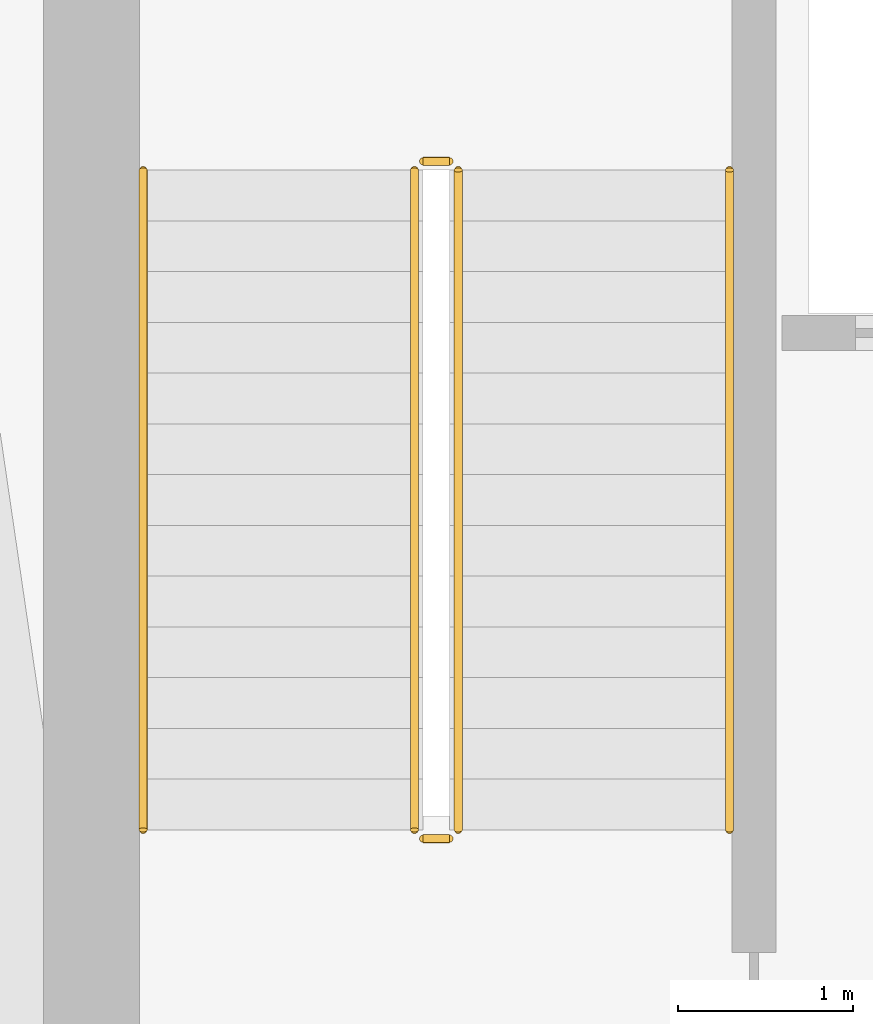
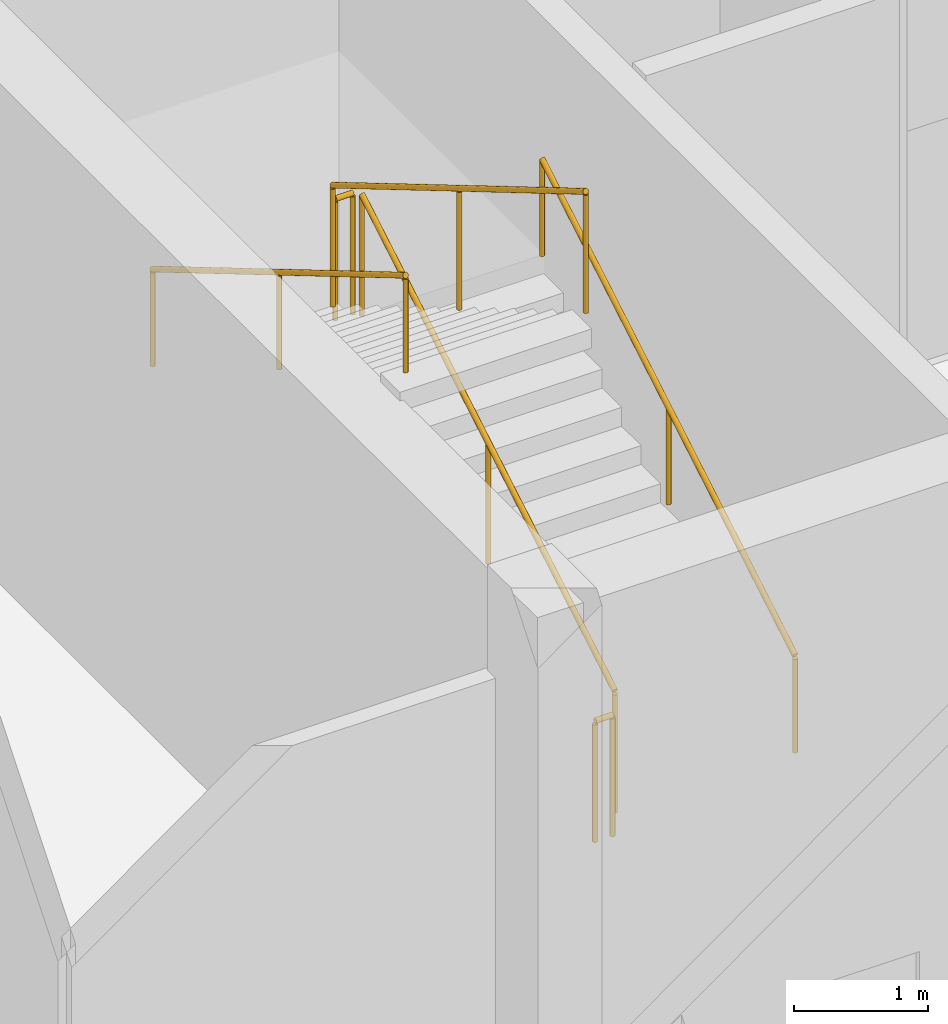
# One storey, part 15 of 18: 6 railings.
"""IFC4 building model written with IfcOpenShell, lengths in metres."""

from ifc_helpers import new_model, si_unit, direction, frame, origin, origin_2d, place, context, subcontext, project, spatial, circle, extrude, material, type_object, element, save


model = new_model("IFC4")

# Units and contexts
model_context = context("Model", 3, precision=1e-05, world=origin(), true_north=direction((0.0, 1.0)))
body_context = subcontext(model_context, "Body", "Model", "MODEL_VIEW")
ifc_project = project(units=[si_unit("LENGTHUNIT", "METRE"), si_unit("AREAUNIT", "SQUARE_METRE"), si_unit("VOLUMEUNIT", "CUBIC_METRE"), si_unit("PLANEANGLEUNIT", "RADIAN"), si_unit("MASSUNIT", "GRAM", prefix="KILO")], contexts=[model_context])

# Site, building, storey
site_placement = place(None, origin())
site = spatial("IfcSite", under=ifc_project, at=site_placement, CompositionType="ELEMENT")
building_placement = place(site_placement, origin())
building = spatial("IfcBuilding", under=site, at=building_placement, Name="Varnelok Gate Tower", CompositionType="ELEMENT")
storey_placement = place(building_placement, frame((0.0, 0.0, 296.300048828125)))
storey = spatial("IfcBuildingStorey", under=building, at=storey_placement, Name="L76", CompositionType="ELEMENT", Elevation=296.300048828125)

# Railings
ifc_material_1 = material(Name="Brushed Stainless Steel AISI 316", Category="steel")
railing_type_1 = type_object("IfcRailingType", Name="RL-HANDRAIL-900", PredefinedType="HANDRAIL", material=ifc_material_1)
railing_1_placement = place(storey_placement, frame((34.5, 31.60009765625, 0.17138671875)))
element("IfcRailing", 1, at=railing_1_placement, inside=storey, type_object=railing_type_1, Name="L76 ST-1 stair handrail 1", PredefinedType="HANDRAIL", context=body_context, shape_type="SweptSolid", body=[
    extrude(circle(Radius=0.02392578125, at=origin_2d()), frame((0.0, 0.0, 0.8759765625), z_axis=(0.0, 0.860848830602, 0.508860777473), x_axis=(-1.0, 0.0, 0.0)), (0.0, 0.0, 1.0), 4.37939453125),
    extrude(circle(Radius=0.02099609375, at=origin_2d()), origin(), (0.0, 0.0, 1.0), 0.851806640625),
    extrude(circle(Radius=0.02099609375, at=origin_2d()), frame((0.0, 1.885009765625, 1.1142578125)), (0.0, 0.0, 1.0), 0.851806640625),
    extrude(circle(Radius=0.02099609375, at=origin_2d()), frame((0.0, 3.77001953125, 2.228515625)), (0.0, 0.0, 1.0), 0.851806640625),
])
railing_2_placement = place(storey_placement, frame((31.14990234375, 35.3701171875, 2.5712890625)))
element("IfcRailing", 2, at=railing_2_placement, inside=storey, type_object=railing_type_1, Name="L76 ST-1 stair handrail 2", PredefinedType="HANDRAIL", context=body_context, shape_type="SweptSolid", body=[
    extrude(circle(Radius=0.02392578125, at=origin_2d()), frame((0.0, 0.0, 0.8759765625), z_axis=(0.0, -0.860824410104, 0.508902087802), x_axis=(1.0, 0.0, 0.0)), (0.0, 0.0, 1.0), 4.379638671875),
    extrude(circle(Radius=0.02099609375, at=origin_2d()), origin(), (0.0, 0.0, 1.0), 0.851806640625),
    extrude(circle(Radius=0.02099609375, at=origin_2d()), frame((0.0, -1.885009765625, 1.1142578125)), (0.0, 0.0, 1.0), 0.851806640625),
    extrude(circle(Radius=0.02099609375, at=origin_2d()), frame((0.0, -3.77001953125, 2.228759765625)), (0.0, 0.0, 1.0), 0.851806640625),
])
ifc_material_2 = material(Name="Galvanized Steel Grade S350GD", Category="steel")
railing_type_2 = type_object("IfcRailingType", Name="RL-STAIR-GUARD1120", PredefinedType="GUARDRAIL", material=ifc_material_2)
railing_3_placement = place(storey_placement, frame((32.949951171875, 31.60009765625, 0.17138671875)))
element("IfcRailing", 3, at=railing_3_placement, inside=storey, type_object=railing_type_2, Name="L76 ST-1 stair guard 1", PredefinedType="GUARDRAIL", context=body_context, shape_type="SweptSolid", body=[
    extrude(circle(Radius=0.02392578125, at=origin_2d()), frame((0.0, 0.0, 1.09619140625), z_axis=(0.0, 0.860848830602, 0.508860777473), x_axis=(-1.0, 0.0, 0.0)), (0.0, 0.0, 1.0), 4.37939453125),
    extrude(circle(Radius=0.02099609375, at=origin_2d()), origin(), (0.0, 0.0, 1.0), 1.072021484375),
    extrude(circle(Radius=0.02099609375, at=origin_2d()), frame((0.0, 1.885009765625, 1.1142578125)), (0.0, 0.0, 1.0), 1.072021484375),
    extrude(circle(Radius=0.02099609375, at=origin_2d()), frame((0.0, 3.77001953125, 2.228515625)), (0.0, 0.0, 1.0), 1.072021484375),
])
railing_4_placement = place(storey_placement, frame((32.89990234375, 35.419921875, 2.39990234375)))
element("IfcRailing", 4, at=railing_4_placement, inside=storey, type_object=railing_type_2, Name="L76 ST-1 stair guard 2", PredefinedType="GUARDRAIL", context=body_context, shape_type="SweptSolid", body=[
    extrude(circle(Radius=0.02392578125, at=origin_2d()), frame((0.0, 0.0, 1.09619140625), z_axis=(-1.0, 0.0, 0.0), x_axis=(0.0, -1.0, 0.0)), (0.0, 0.0, 1.0), 0.14990234375),
    extrude(circle(Radius=0.02099609375, at=origin_2d()), origin(), (0.0, 0.0, 1.0), 1.072021484375),
    extrude(circle(Radius=0.02099609375, at=origin_2d()), frame((-0.14990234375, 0.0, 0.0)), (0.0, 0.0, 1.0), 1.072021484375),
])
railing_5_placement = place(storey_placement, frame((32.699951171875, 35.3701171875, 2.5712890625)))
element("IfcRailing", 5, at=railing_5_placement, inside=storey, type_object=railing_type_2, Name="L76 ST-1 stair guard 3", PredefinedType="GUARDRAIL", context=body_context, shape_type="SweptSolid", body=[
    extrude(circle(Radius=0.02392578125, at=origin_2d()), frame((0.0, 0.0, 1.09619140625), z_axis=(0.0, -0.860824410104, 0.508902087802), x_axis=(1.0, 0.0, 0.0)), (0.0, 0.0, 1.0), 4.379638671875),
    extrude(circle(Radius=0.02099609375, at=origin_2d()), origin(), (0.0, 0.0, 1.0), 1.072021484375),
    extrude(circle(Radius=0.02099609375, at=origin_2d()), frame((0.0, -1.885009765625, 1.1142578125)), (0.0, 0.0, 1.0), 1.072021484375),
    extrude(circle(Radius=0.02099609375, at=origin_2d()), frame((0.0, -3.77001953125, 2.228759765625)), (0.0, 0.0, 1.0), 1.072021484375),
])
railing_6_placement = place(storey_placement, frame((32.89990234375, 31.550048828125, 0.0)))
element("IfcRailing", 6, at=railing_6_placement, inside=storey, type_object=railing_type_2, Name="L76 ST-1 stair guard 4", PredefinedType="GUARDRAIL", context=body_context, shape_type="SweptSolid", body=[
    extrude(circle(Radius=0.02392578125, at=origin_2d()), frame((0.0, 0.0, 1.09619140625), z_axis=(-1.0, 0.0, 0.0), x_axis=(0.0, -1.0, 0.0)), (0.0, 0.0, 1.0), 0.14990234375),
    extrude(circle(Radius=0.02099609375, at=origin_2d()), origin(), (0.0, 0.0, 1.0), 1.072021484375),
    extrude(circle(Radius=0.02099609375, at=origin_2d()), frame((-0.14990234375, 0.0, 0.0)), (0.0, 0.0, 1.0), 1.072021484375),
])

save(model, "model.ifc")
